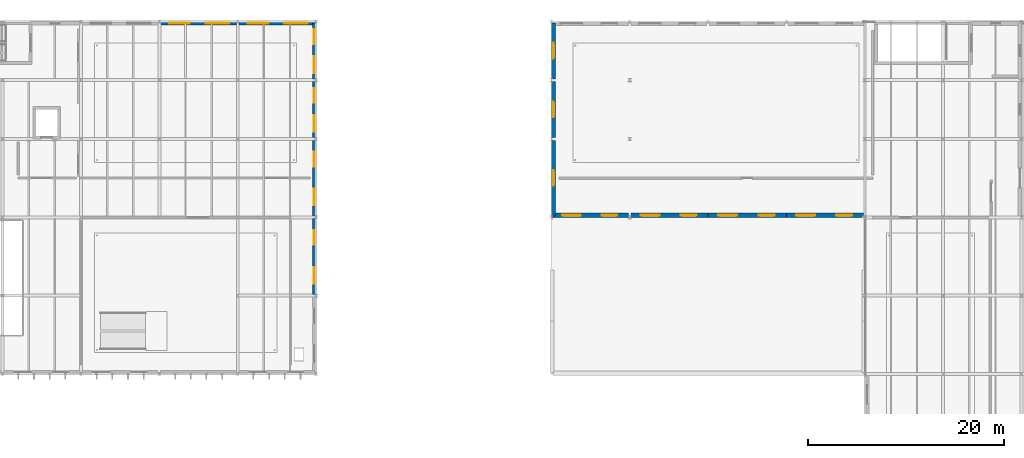
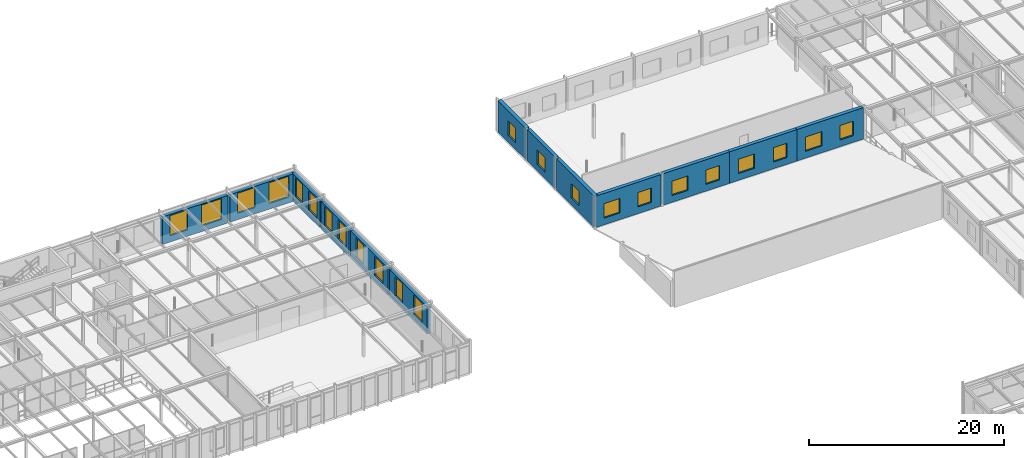
# One storey, part 84 of 124: 23 windows, 13 walls, 23 openings.
"""IFC4 building model written with IfcOpenShell, lengths in metres."""

from ifc_helpers import new_model, si_unit, direction, frame, frame_2d, origin, place, context, subcontext, project, spatial, rectangle, extrude, material, layer, layer_set, type_object, element, fill, save


model = new_model("IFC4")

# Units and contexts
model_context = context("Model", 3, precision=1e-05, world=origin(), true_north=direction((0.0, 1.0)))
body_context = subcontext(model_context, "Body", "Model", "MODEL_VIEW")
ifc_project = project(units=[si_unit("LENGTHUNIT", "METRE"), si_unit("AREAUNIT", "SQUARE_METRE"), si_unit("VOLUMEUNIT", "CUBIC_METRE"), si_unit("PLANEANGLEUNIT", "RADIAN"), si_unit("MASSUNIT", "GRAM", prefix="KILO")], contexts=[model_context])

# Site, building, storey
site_placement = place(None, origin())
site = spatial("IfcSite", under=ifc_project, at=site_placement, CompositionType="ELEMENT")
building_placement = place(site_placement, origin())
building = spatial("IfcBuilding", under=site, at=building_placement, Name="Sundkrona Museum", CompositionType="ELEMENT")
storey_placement = place(building_placement, frame((0.0, 0.0, 17.60009765625)))
storey = spatial("IfcBuildingStorey", under=building, at=storey_placement, Name="L03", CompositionType="ELEMENT", Elevation=17.60009765625)

# Wall, openings, windows
ifc_material_1 = material(Name="Scanian Polychrome Clay Brickwork 390 mm", Category="masonry")
ifc_layer_1 = layer(ifc_material_1, 0.389892578125)
ifc_layer_set_1 = layer_set([ifc_layer_1], Name="Scanian Polychrome Clay Brickwork 390 mm")
wall_type_1 = type_object("IfcWallType", Name="W-EX-390", PredefinedType="SOLIDWALL", material=ifc_layer_set_1)
wall_1_placement = place(storey_placement, frame((64.1220703125, 113.804931640625, 0.0), z_axis=(0.0, 0.0, 1.0), x_axis=(1.0, 0.0, 0.0)))
wall_1 = element("IfcWall", 1, at=wall_1_placement, inside=storey, type_object=wall_type_1, Name="L03 Facade Wall 0172", PredefinedType="SOLIDWALL", context=body_context, shape_type="SweptSolid", body=[
    extrude(rectangle(XDim=7.755859375, YDim=0.389892578125, at=frame_2d((3.8779296875, 0.0))), origin(), (0.0, 0.0, 1.0), 3.44482421875),
])
opening_1_placement = place(wall_1_placement, frame((0.888916015625, 0.0, 0.804931640625)))
opening_1 = element("IfcOpeningElement", 2, at=opening_1_placement, cuts=wall_1, Name="Opening WN-GL-210x250", PredefinedType="OPENING", context=body_context, shape_type="SweptSolid", body=[
    extrude(rectangle(XDim=2.10009765625, YDim=2.5, at=frame_2d((1.050048828125, 1.25))), frame((0.0, 0.204833984375, 0.0), z_axis=(0.0, -1.0, 0.0), x_axis=(1.0, 0.0, 0.0)), (0.0, 0.0, 1.0), 0.409912109375),
])
opening_2_placement = place(wall_1_placement, frame((4.616943359375, 0.0, 0.705078125)))
opening_2 = element("IfcOpeningElement", 3, at=opening_2_placement, cuts=wall_1, Name="Opening WN-GL-240x260", PredefinedType="OPENING", context=body_context, shape_type="SweptSolid", body=[
    extrude(rectangle(XDim=2.39990234375, YDim=2.60009765625, at=frame_2d((1.199951171875, 1.300048828125))), frame((0.0, 0.204833984375, 0.0), z_axis=(0.0, -1.0, 0.0), x_axis=(1.0, 0.0, 0.0)), (0.0, 0.0, 1.0), 0.409912109375),
])
ifc_material_2 = material(Name="Triple Low-E Argon Glazing in Bronze-Anodised Aluminium", Category="aluminium")
window_type_1 = type_object("IfcWindowType", Name="WN-GL-210x250", PartitioningType="DOUBLE_PANEL_VERTICAL", PredefinedType="WINDOW", material=ifc_material_2)
window_1_placement = place(opening_1_placement, origin())
window_1 = element("IfcWindow", 4, at=window_1_placement, inside=storey, type_object=window_type_1, Name="L03 Botanical court outlook window 2100x2500 WIN-L03-0239", OverallHeight=2.5, OverallWidth=2.10009765625, PartitioningType="DOUBLE_PANEL_VERTICAL", PredefinedType="WINDOW", context=body_context, shape_type="SweptSolid", body=[
    extrude(rectangle(XDim=2.10009765625, YDim=2.5, at=frame_2d((1.050048828125, 1.25))), frame((0.0, 0.030029296875, 0.0), z_axis=(0.0, -1.0, 0.0), x_axis=(1.0, 0.0, 0.0)), (0.0, 0.0, 1.0), 0.06005859375),
])
fill(opening_1, window_1)
window_type_2 = type_object("IfcWindowType", Name="WN-GL-240x260", PartitioningType="TRIPLE_PANEL_VERTICAL", PredefinedType="WINDOW", material=ifc_material_2)
window_2_placement = place(opening_2_placement, origin())
window_2 = element("IfcWindow", 5, at=window_2_placement, inside=storey, type_object=window_type_2, Name="L03 Cloister garden picture window 2400x2600 WIN-L03-0240", OverallHeight=2.60009765625, OverallWidth=2.39990234375, PartitioningType="TRIPLE_PANEL_VERTICAL", PredefinedType="WINDOW", context=body_context, shape_type="SweptSolid", body=[
    extrude(rectangle(XDim=2.39990234375, YDim=2.60009765625, at=frame_2d((1.199951171875, 1.300048828125))), frame((0.0, 0.030029296875, 0.0), z_axis=(0.0, -1.0, 0.0), x_axis=(1.0, 0.0, 0.0)), (0.0, 0.0, 1.0), 0.06005859375),
])
fill(opening_2, window_2)

wall_2_placement = place(storey_placement, frame((72.1220703125, 113.804931640625, 0.0), z_axis=(0.0, 0.0, 1.0), x_axis=(1.0, 0.0, 0.0)))
wall_2 = element("IfcWall", 6, at=wall_2_placement, inside=storey, type_object=wall_type_1, Name="L03 Facade Wall 0173", PredefinedType="SOLIDWALL", context=body_context, shape_type="SweptSolid", body=[
    extrude(rectangle(XDim=7.73583984375, YDim=0.389892578125, at=frame_2d((3.867919921875, 0.0))), origin(), (0.0, 0.0, 1.0), 3.44482421875),
])
opening_3_placement = place(wall_2_placement, frame((0.884033203125, 0.0, 0.804931640625)))
opening_3 = element("IfcOpeningElement", 7, at=opening_3_placement, cuts=wall_2, Name="Opening WN-GL-210x250", PredefinedType="OPENING", context=body_context, shape_type="SweptSolid", body=[
    extrude(rectangle(XDim=2.10009765625, YDim=2.5, at=frame_2d((1.050048828125, 1.25))), frame((0.0, 0.204833984375, 0.0), z_axis=(0.0, -1.0, 0.0), x_axis=(1.0, 0.0, 0.0)), (0.0, 0.0, 1.0), 0.409912109375),
])
opening_4_placement = place(wall_2_placement, frame((4.60205078125, 0.0, 0.705078125)))
opening_4 = element("IfcOpeningElement", 8, at=opening_4_placement, cuts=wall_2, Name="Opening WN-GL-240x260", PredefinedType="OPENING", context=body_context, shape_type="SweptSolid", body=[
    extrude(rectangle(XDim=2.39990234375, YDim=2.60009765625, at=frame_2d((1.199951171875, 1.300048828125))), frame((0.0, 0.204833984375, 0.0), z_axis=(0.0, -1.0, 0.0), x_axis=(1.0, 0.0, 0.0)), (0.0, 0.0, 1.0), 0.409912109375),
])
window_3_placement = place(opening_3_placement, origin())
window_3 = element("IfcWindow", 9, at=window_3_placement, inside=storey, type_object=window_type_1, Name="L03 Botanical court outlook window 2100x2500 WIN-L03-0241", OverallHeight=2.5, OverallWidth=2.10009765625, PartitioningType="DOUBLE_PANEL_VERTICAL", PredefinedType="WINDOW", context=body_context, shape_type="SweptSolid", body=[
    extrude(rectangle(XDim=2.10009765625, YDim=2.5, at=frame_2d((1.050048828125, 1.25))), frame((0.0, 0.030029296875, 0.0), z_axis=(0.0, -1.0, 0.0), x_axis=(1.0, 0.0, 0.0)), (0.0, 0.0, 1.0), 0.06005859375),
])
fill(opening_3, window_3)
window_4_placement = place(opening_4_placement, origin())
window_4 = element("IfcWindow", 10, at=window_4_placement, inside=storey, type_object=window_type_2, Name="L03 Cloister garden picture window 2400x2600 WIN-L03-0242", OverallHeight=2.60009765625, OverallWidth=2.39990234375, PartitioningType="TRIPLE_PANEL_VERTICAL", PredefinedType="WINDOW", context=body_context, shape_type="SweptSolid", body=[
    extrude(rectangle(XDim=2.39990234375, YDim=2.60009765625, at=frame_2d((1.199951171875, 1.300048828125))), frame((0.0, 0.030029296875, 0.0), z_axis=(0.0, -1.0, 0.0), x_axis=(1.0, 0.0, 0.0)), (0.0, 0.0, 1.0), 0.06005859375),
])
fill(opening_4, window_4)

wall_3_placement = place(storey_placement, frame((79.804931640625, 93.85791015625, 0.0), z_axis=(0.0, 0.0, 1.0), x_axis=(0.0, -1.0, 0.0)))
wall_3 = element("IfcWall", 11, at=wall_3_placement, inside=storey, type_object=wall_type_1, Name="L03 Facade Wall 0261", PredefinedType="SOLIDWALL", context=body_context, shape_type="SweptSolid", body=[
    extrude(rectangle(XDim=7.7158203125, YDim=0.389892578125, at=frame_2d((3.85791015625, 0.0))), origin(), (0.0, 0.0, 1.0), 3.44482421875),
])
opening_5_placement = place(wall_3_placement, frame((1.178955078125, 0.0, 0.85009765625)))
opening_5 = element("IfcOpeningElement", 12, at=opening_5_placement, cuts=wall_3, Name="Opening WN-GL-150x240", PredefinedType="OPENING", context=body_context, shape_type="SweptSolid", body=[
    extrude(rectangle(XDim=1.5, YDim=2.39990234375, at=frame_2d((0.75, 1.199951171875))), frame((0.0, 0.204833984375, 0.0), z_axis=(0.0, -1.0, 0.0), x_axis=(1.0, 0.0, 0.0)), (0.0, 0.0, 1.0), 0.409912109375),
])
opening_6_placement = place(wall_3_placement, frame((4.93701171875, 0.0, 0.85009765625)))
opening_6 = element("IfcOpeningElement", 13, at=opening_6_placement, cuts=wall_3, Name="Opening WN-GL-170x240", PredefinedType="OPENING", context=body_context, shape_type="SweptSolid", body=[
    extrude(rectangle(XDim=1.699951171875, YDim=2.39990234375, at=frame_2d((0.85009765625, 1.199951171875))), frame((0.0, 0.204833984375, 0.0), z_axis=(0.0, -1.0, 0.0), x_axis=(1.0, 0.0, 0.0)), (0.0, 0.0, 1.0), 0.409912109375),
])
window_type_3 = type_object("IfcWindowType", Name="WN-GL-150x240", PartitioningType="SINGLE_PANEL", PredefinedType="WINDOW", material=ifc_material_2)
window_5_placement = place(opening_5_placement, origin())
window_5 = element("IfcWindow", 14, at=window_5_placement, inside=storey, type_object=window_type_3, Name="L03 Finned wing deep-reveal gallery window 1500x2400 WIN-L03-0362", OverallHeight=2.39990234375, OverallWidth=1.5, PartitioningType="SINGLE_PANEL", PredefinedType="WINDOW", context=body_context, shape_type="SweptSolid", body=[
    extrude(rectangle(XDim=1.5, YDim=2.39990234375, at=frame_2d((0.75, 1.199951171875))), frame((0.0, 0.030029296875, 0.0), z_axis=(0.0, -1.0, 0.0), x_axis=(1.0, 0.0, 0.0)), (0.0, 0.0, 1.0), 0.06005859375),
])
fill(opening_5, window_5)
window_type_4 = type_object("IfcWindowType", Name="WN-GL-170x240", PartitioningType="DOUBLE_PANEL_VERTICAL", PredefinedType="WINDOW", material=ifc_material_2)
window_6_placement = place(opening_6_placement, origin())
window_6 = element("IfcWindow", 15, at=window_6_placement, inside=storey, type_object=window_type_4, Name="L03 Finned wing wide gallery window 1700x2400 WIN-L03-0363", OverallHeight=2.39990234375, OverallWidth=1.699951171875, PartitioningType="DOUBLE_PANEL_VERTICAL", PredefinedType="WINDOW", context=body_context, shape_type="SweptSolid", body=[
    extrude(rectangle(XDim=1.699951171875, YDim=2.39990234375, at=frame_2d((0.85009765625, 1.199951171875))), frame((0.0, 0.030029296875, 0.0), z_axis=(0.0, -1.0, 0.0), x_axis=(1.0, 0.0, 0.0)), (0.0, 0.0, 1.0), 0.06005859375),
])
fill(opening_6, window_6)

wall_4_placement = place(storey_placement, frame((79.804931640625, 101.85791015625, 0.0), z_axis=(0.0, 0.0, 1.0), x_axis=(0.0, -1.0, 0.0)))
wall_4 = element("IfcWall", 16, at=wall_4_placement, inside=storey, type_object=wall_type_1, Name="L03 Facade Wall 0262", PredefinedType="SOLIDWALL", context=body_context, shape_type="SweptSolid", body=[
    extrude(rectangle(XDim=7.7158203125, YDim=0.389892578125, at=frame_2d((3.85791015625, 0.0))), origin(), (0.0, 0.0, 1.0), 3.44482421875),
])
opening_7_placement = place(wall_4_placement, frame((1.178955078125, 0.0, 0.85009765625)))
opening_7 = element("IfcOpeningElement", 17, at=opening_7_placement, cuts=wall_4, Name="Opening WN-GL-150x240", PredefinedType="OPENING", context=body_context, shape_type="SweptSolid", body=[
    extrude(rectangle(XDim=1.5, YDim=2.39990234375, at=frame_2d((0.75, 1.199951171875))), frame((0.0, 0.204833984375, 0.0), z_axis=(0.0, -1.0, 0.0), x_axis=(1.0, 0.0, 0.0)), (0.0, 0.0, 1.0), 0.409912109375),
])
opening_8_placement = place(wall_4_placement, frame((4.93701171875, 0.0, 0.85009765625)))
opening_8 = element("IfcOpeningElement", 18, at=opening_8_placement, cuts=wall_4, Name="Opening WN-GL-170x240", PredefinedType="OPENING", context=body_context, shape_type="SweptSolid", body=[
    extrude(rectangle(XDim=1.699951171875, YDim=2.39990234375, at=frame_2d((0.85009765625, 1.199951171875))), frame((0.0, 0.204833984375, 0.0), z_axis=(0.0, -1.0, 0.0), x_axis=(1.0, 0.0, 0.0)), (0.0, 0.0, 1.0), 0.409912109375),
])
window_7_placement = place(opening_7_placement, origin())
window_7 = element("IfcWindow", 19, at=window_7_placement, inside=storey, type_object=window_type_3, Name="L03 Finned wing deep-reveal gallery window 1500x2400 WIN-L03-0364", OverallHeight=2.39990234375, OverallWidth=1.5, PartitioningType="SINGLE_PANEL", PredefinedType="WINDOW", context=body_context, shape_type="SweptSolid", body=[
    extrude(rectangle(XDim=1.5, YDim=2.39990234375, at=frame_2d((0.75, 1.199951171875))), frame((0.0, 0.030029296875, 0.0), z_axis=(0.0, -1.0, 0.0), x_axis=(1.0, 0.0, 0.0)), (0.0, 0.0, 1.0), 0.06005859375),
])
fill(opening_7, window_7)
window_8_placement = place(opening_8_placement, origin())
window_8 = element("IfcWindow", 20, at=window_8_placement, inside=storey, type_object=window_type_4, Name="L03 Finned wing wide gallery window 1700x2400 WIN-L03-0365", OverallHeight=2.39990234375, OverallWidth=1.699951171875, PartitioningType="DOUBLE_PANEL_VERTICAL", PredefinedType="WINDOW", context=body_context, shape_type="SweptSolid", body=[
    extrude(rectangle(XDim=1.699951171875, YDim=2.39990234375, at=frame_2d((0.85009765625, 1.199951171875))), frame((0.0, 0.030029296875, 0.0), z_axis=(0.0, -1.0, 0.0), x_axis=(1.0, 0.0, 0.0)), (0.0, 0.0, 1.0), 0.06005859375),
])
fill(opening_8, window_8)

wall_5_placement = place(storey_placement, frame((79.804931640625, 107.85791015625, 0.0), z_axis=(0.0, 0.0, 1.0), x_axis=(0.0, -1.0, 0.0)))
wall_5 = element("IfcWall", 21, at=wall_5_placement, inside=storey, type_object=wall_type_1, Name="L03 Facade Wall 0263", PredefinedType="SOLIDWALL", context=body_context, shape_type="SweptSolid", body=[
    extrude(rectangle(XDim=5.7158203125, YDim=0.389892578125, at=frame_2d((2.85791015625, 0.0))), origin(), (0.0, 0.0, 1.0), 3.44482421875),
])
opening_9_placement = place(wall_5_placement, frame((0.678955078125, 0.0, 0.85009765625)))
opening_9 = element("IfcOpeningElement", 22, at=opening_9_placement, cuts=wall_5, Name="Opening WN-GL-150x240", PredefinedType="OPENING", context=body_context, shape_type="SweptSolid", body=[
    extrude(rectangle(XDim=1.5, YDim=2.39990234375, at=frame_2d((0.75, 1.199951171875))), frame((0.0, 0.204833984375, 0.0), z_axis=(0.0, -1.0, 0.0), x_axis=(1.0, 0.0, 0.0)), (0.0, 0.0, 1.0), 0.409912109375),
])
opening_10_placement = place(wall_5_placement, frame((3.43701171875, 0.0, 0.85009765625)))
opening_10 = element("IfcOpeningElement", 23, at=opening_10_placement, cuts=wall_5, Name="Opening WN-GL-170x240", PredefinedType="OPENING", context=body_context, shape_type="SweptSolid", body=[
    extrude(rectangle(XDim=1.699951171875, YDim=2.39990234375, at=frame_2d((0.85009765625, 1.199951171875))), frame((0.0, 0.204833984375, 0.0), z_axis=(0.0, -1.0, 0.0), x_axis=(1.0, 0.0, 0.0)), (0.0, 0.0, 1.0), 0.409912109375),
])
window_9_placement = place(opening_9_placement, origin())
window_9 = element("IfcWindow", 24, at=window_9_placement, inside=storey, type_object=window_type_3, Name="L03 Finned wing deep-reveal gallery window 1500x2400 WIN-L03-0366", OverallHeight=2.39990234375, OverallWidth=1.5, PartitioningType="SINGLE_PANEL", PredefinedType="WINDOW", context=body_context, shape_type="SweptSolid", body=[
    extrude(rectangle(XDim=1.5, YDim=2.39990234375, at=frame_2d((0.75, 1.199951171875))), frame((0.0, 0.030029296875, 0.0), z_axis=(0.0, -1.0, 0.0), x_axis=(1.0, 0.0, 0.0)), (0.0, 0.0, 1.0), 0.06005859375),
])
fill(opening_9, window_9)
window_10_placement = place(opening_10_placement, origin())
window_10 = element("IfcWindow", 25, at=window_10_placement, inside=storey, type_object=window_type_4, Name="L03 Finned wing wide gallery window 1700x2400 WIN-L03-0367", OverallHeight=2.39990234375, OverallWidth=1.699951171875, PartitioningType="DOUBLE_PANEL_VERTICAL", PredefinedType="WINDOW", context=body_context, shape_type="SweptSolid", body=[
    extrude(rectangle(XDim=1.699951171875, YDim=2.39990234375, at=frame_2d((0.85009765625, 1.199951171875))), frame((0.0, 0.030029296875, 0.0), z_axis=(0.0, -1.0, 0.0), x_axis=(1.0, 0.0, 0.0)), (0.0, 0.0, 1.0), 0.06005859375),
])
fill(opening_10, window_10)

wall_6_placement = place(storey_placement, frame((79.804931640625, 113.85791015625, 0.0), z_axis=(0.0, 0.0, 1.0), x_axis=(0.0, -1.0, 0.0)))
wall_6 = element("IfcWall", 26, at=wall_6_placement, inside=storey, type_object=wall_type_1, Name="L03 Facade Wall 0264", PredefinedType="SOLIDWALL", context=body_context, shape_type="SweptSolid", body=[
    extrude(rectangle(XDim=5.7158203125, YDim=0.389892578125, at=frame_2d((2.85791015625, 0.0))), origin(), (0.0, 0.0, 1.0), 3.44482421875),
])
opening_11_placement = place(wall_6_placement, frame((0.678955078125, 0.0, 0.85009765625)))
opening_11 = element("IfcOpeningElement", 27, at=opening_11_placement, cuts=wall_6, Name="Opening WN-GL-150x240", PredefinedType="OPENING", context=body_context, shape_type="SweptSolid", body=[
    extrude(rectangle(XDim=1.5, YDim=2.39990234375, at=frame_2d((0.75, 1.199951171875))), frame((0.0, 0.204833984375, 0.0), z_axis=(0.0, -1.0, 0.0), x_axis=(1.0, 0.0, 0.0)), (0.0, 0.0, 1.0), 0.409912109375),
])
opening_12_placement = place(wall_6_placement, frame((3.43701171875, 0.0, 0.85009765625)))
opening_12 = element("IfcOpeningElement", 28, at=opening_12_placement, cuts=wall_6, Name="Opening WN-GL-170x240", PredefinedType="OPENING", context=body_context, shape_type="SweptSolid", body=[
    extrude(rectangle(XDim=1.699951171875, YDim=2.39990234375, at=frame_2d((0.85009765625, 1.199951171875))), frame((0.0, 0.204833984375, 0.0), z_axis=(0.0, -1.0, 0.0), x_axis=(1.0, 0.0, 0.0)), (0.0, 0.0, 1.0), 0.409912109375),
])
window_11_placement = place(opening_11_placement, origin())
window_11 = element("IfcWindow", 29, at=window_11_placement, inside=storey, type_object=window_type_3, Name="L03 Finned wing deep-reveal gallery window 1500x2400 WIN-L03-0368", OverallHeight=2.39990234375, OverallWidth=1.5, PartitioningType="SINGLE_PANEL", PredefinedType="WINDOW", context=body_context, shape_type="SweptSolid", body=[
    extrude(rectangle(XDim=1.5, YDim=2.39990234375, at=frame_2d((0.75, 1.199951171875))), frame((0.0, 0.030029296875, 0.0), z_axis=(0.0, -1.0, 0.0), x_axis=(1.0, 0.0, 0.0)), (0.0, 0.0, 1.0), 0.06005859375),
])
fill(opening_11, window_11)
window_12_placement = place(opening_12_placement, origin())
window_12 = element("IfcWindow", 30, at=window_12_placement, inside=storey, type_object=window_type_4, Name="L03 Finned wing wide gallery window 1700x2400 WIN-L03-0369", OverallHeight=2.39990234375, OverallWidth=1.699951171875, PartitioningType="DOUBLE_PANEL_VERTICAL", PredefinedType="WINDOW", context=body_context, shape_type="SweptSolid", body=[
    extrude(rectangle(XDim=1.699951171875, YDim=2.39990234375, at=frame_2d((0.85009765625, 1.199951171875))), frame((0.0, 0.030029296875, 0.0), z_axis=(0.0, -1.0, 0.0), x_axis=(1.0, 0.0, 0.0)), (0.0, 0.0, 1.0), 0.06005859375),
])
fill(opening_12, window_12)

# Wall, opening, window
ifc_material_3 = material(Name="Scanian Polychrome Clay Brickwork 420 mm", Category="masonry")
ifc_layer_2 = layer(ifc_material_3, 0.419921875)
ifc_layer_set_2 = layer_set([ifc_layer_2], Name="Scanian Polychrome Clay Brickwork 420 mm")
wall_type_2 = type_object("IfcWallType", Name="W-EX-420", PredefinedType="SOLIDWALL", material=ifc_layer_set_2)
wall_7_placement = place(storey_placement, frame((104.2099609375, 94.14208984375, 0.0), z_axis=(0.0, 0.0, 1.0), x_axis=(0.0, 1.0, 0.0)))
wall_7 = element("IfcWall", 31, at=wall_7_placement, inside=storey, type_object=wall_type_2, Name="L03 Facade Wall 0304", PredefinedType="SOLIDWALL", context=body_context, shape_type="SweptSolid", body=[
    extrude(rectangle(XDim=7.7158203125, YDim=0.419921875, at=frame_2d((3.85791015625, 0.0))), origin(), (0.0, 0.0, 1.0), 3.93994140625),
])
opening_13_placement = place(wall_7_placement, frame((3.05810546875, 0.0, 0.85009765625)))
opening_13 = element("IfcOpeningElement", 32, at=opening_13_placement, cuts=wall_7, Name="Opening WN-LB-160x180", PredefinedType="OPENING", context=body_context, shape_type="SweptSolid", body=[
    extrude(rectangle(XDim=1.60009765625, YDim=1.800048828125, at=frame_2d((0.800048828125, 0.89990234375))), frame((0.0, 0.219970703125, 0.0), z_axis=(0.0, -1.0, 0.0), x_axis=(1.0, 0.0, 0.0)), (0.0, 0.0, 1.0), 0.43994140625),
])
window_type_5 = type_object("IfcWindowType", Name="WN-LB-160x180", PartitioningType="DOUBLE_PANEL_VERTICAL", PredefinedType="WINDOW", material=ifc_material_2)
window_13_placement = place(opening_13_placement, origin())
window_13 = element("IfcWindow", 33, at=window_13_placement, inside=storey, type_object=window_type_5, Name="L03 Conservation laboratory deep-reveal window 1600x1800 WIN-L03-0417", OverallHeight=1.800048828125, OverallWidth=1.60009765625, PartitioningType="DOUBLE_PANEL_VERTICAL", PredefinedType="WINDOW", context=body_context, shape_type="SweptSolid", body=[
    extrude(rectangle(XDim=1.60009765625, YDim=1.800048828125, at=frame_2d((0.800048828125, 0.89990234375))), frame((0.0, 0.030029296875, 0.0), z_axis=(0.0, -1.0, 0.0), x_axis=(1.0, 0.0, 0.0)), (0.0, 0.0, 1.0), 0.06005859375),
])
fill(opening_13, window_13)

wall_8_placement = place(storey_placement, frame((104.2099609375, 102.14208984375, 0.0), z_axis=(0.0, 0.0, 1.0), x_axis=(0.0, 1.0, 0.0)))
wall_8 = element("IfcWall", 34, at=wall_8_placement, inside=storey, type_object=wall_type_2, Name="L03 Facade Wall 0305", PredefinedType="SOLIDWALL", context=body_context, shape_type="SweptSolid", body=[
    extrude(rectangle(XDim=5.7158203125, YDim=0.419921875, at=frame_2d((2.85791015625, 0.0))), origin(), (0.0, 0.0, 1.0), 3.93994140625),
])
opening_14_placement = place(wall_8_placement, frame((2.05810546875, 0.0, 0.85009765625)))
opening_14 = element("IfcOpeningElement", 35, at=opening_14_placement, cuts=wall_8, Name="Opening WN-LB-160x180", PredefinedType="OPENING", context=body_context, shape_type="SweptSolid", body=[
    extrude(rectangle(XDim=1.60009765625, YDim=1.800048828125, at=frame_2d((0.800048828125, 0.89990234375))), frame((0.0, 0.219970703125, 0.0), z_axis=(0.0, -1.0, 0.0), x_axis=(1.0, 0.0, 0.0)), (0.0, 0.0, 1.0), 0.43994140625),
])
window_14_placement = place(opening_14_placement, origin())
window_14 = element("IfcWindow", 36, at=window_14_placement, inside=storey, type_object=window_type_5, Name="L03 Conservation laboratory deep-reveal window 1600x1800 WIN-L03-0418", OverallHeight=1.800048828125, OverallWidth=1.60009765625, PartitioningType="DOUBLE_PANEL_VERTICAL", PredefinedType="WINDOW", context=body_context, shape_type="SweptSolid", body=[
    extrude(rectangle(XDim=1.60009765625, YDim=1.800048828125, at=frame_2d((0.800048828125, 0.89990234375))), frame((0.0, 0.030029296875, 0.0), z_axis=(0.0, -1.0, 0.0), x_axis=(1.0, 0.0, 0.0)), (0.0, 0.0, 1.0), 0.06005859375),
])
fill(opening_14, window_14)

wall_9_placement = place(storey_placement, frame((104.2099609375, 108.14208984375, 0.0), z_axis=(0.0, 0.0, 1.0), x_axis=(0.0, 1.0, 0.0)))
wall_9 = element("IfcWall", 37, at=wall_9_placement, inside=storey, type_object=wall_type_2, Name="L03 Facade Wall 0306", PredefinedType="SOLIDWALL", context=body_context, shape_type="SweptSolid", body=[
    extrude(rectangle(XDim=5.7158203125, YDim=0.419921875, at=frame_2d((2.85791015625, 0.0))), origin(), (0.0, 0.0, 1.0), 3.93994140625),
])
opening_15_placement = place(wall_9_placement, frame((2.05810546875, 0.0, 0.85009765625)))
opening_15 = element("IfcOpeningElement", 38, at=opening_15_placement, cuts=wall_9, Name="Opening WN-LB-160x180", PredefinedType="OPENING", context=body_context, shape_type="SweptSolid", body=[
    extrude(rectangle(XDim=1.60009765625, YDim=1.800048828125, at=frame_2d((0.800048828125, 0.89990234375))), frame((0.0, 0.219970703125, 0.0), z_axis=(0.0, -1.0, 0.0), x_axis=(1.0, 0.0, 0.0)), (0.0, 0.0, 1.0), 0.43994140625),
])
window_15_placement = place(opening_15_placement, origin())
window_15 = element("IfcWindow", 39, at=window_15_placement, inside=storey, type_object=window_type_5, Name="L03 Conservation laboratory deep-reveal window 1600x1800 WIN-L03-0419", OverallHeight=1.800048828125, OverallWidth=1.60009765625, PartitioningType="DOUBLE_PANEL_VERTICAL", PredefinedType="WINDOW", context=body_context, shape_type="SweptSolid", body=[
    extrude(rectangle(XDim=1.60009765625, YDim=1.800048828125, at=frame_2d((0.800048828125, 0.89990234375))), frame((0.0, 0.030029296875, 0.0), z_axis=(0.0, -1.0, 0.0), x_axis=(1.0, 0.0, 0.0)), (0.0, 0.0, 1.0), 0.06005859375),
])
fill(opening_15, window_15)

# Wall, openings, windows
wall_10_placement = place(storey_placement, frame((111.85791015625, 94.2099609375, 0.0), z_axis=(0.0, 0.0, 1.0), x_axis=(-1.0, 0.0, 0.0)))
wall_10 = element("IfcWall", 40, at=wall_10_placement, inside=storey, type_object=wall_type_2, Name="L03 Facade Wall 0307", PredefinedType="SOLIDWALL", context=body_context, shape_type="SweptSolid", body=[
    extrude(rectangle(XDim=7.7158203125, YDim=0.419921875, at=frame_2d((3.85791015625, 0.0))), origin(), (0.0, 0.0, 1.0), 3.93994140625),
])
opening_16_placement = place(wall_10_placement, frame((1.12890625, 0.0, 0.85009765625)))
opening_16 = element("IfcOpeningElement", 41, at=opening_16_placement, cuts=wall_10, Name="Opening WN-LB-160x180", PredefinedType="OPENING", context=body_context, shape_type="SweptSolid", body=[
    extrude(rectangle(XDim=1.60009765625, YDim=1.800048828125, at=frame_2d((0.800048828125, 0.89990234375))), frame((0.0, 0.219970703125, 0.0), z_axis=(0.0, -1.0, 0.0), x_axis=(1.0, 0.0, 0.0)), (0.0, 0.0, 1.0), 0.43994140625),
])
opening_17_placement = place(wall_10_placement, frame((4.8369140625, 0.0, 0.85009765625)))
opening_17 = element("IfcOpeningElement", 42, at=opening_17_placement, cuts=wall_10, Name="Opening WN-LB-190x180", PredefinedType="OPENING", context=body_context, shape_type="SweptSolid", body=[
    extrude(rectangle(XDim=1.89990234375, YDim=1.800048828125, at=frame_2d((0.949951171875, 0.89990234375))), frame((0.0, 0.219970703125, 0.0), z_axis=(0.0, -1.0, 0.0), x_axis=(1.0, 0.0, 0.0)), (0.0, 0.0, 1.0), 0.43994140625),
])
window_16_placement = place(opening_16_placement, origin())
window_16 = element("IfcWindow", 43, at=window_16_placement, inside=storey, type_object=window_type_5, Name="L03 Conservation laboratory deep-reveal window 1600x1800 WIN-L03-0420", OverallHeight=1.800048828125, OverallWidth=1.60009765625, PartitioningType="DOUBLE_PANEL_VERTICAL", PredefinedType="WINDOW", context=body_context, shape_type="SweptSolid", body=[
    extrude(rectangle(XDim=1.60009765625, YDim=1.800048828125, at=frame_2d((0.800048828125, 0.89990234375))), frame((0.0, 0.030029296875, 0.0), z_axis=(0.0, -1.0, 0.0), x_axis=(1.0, 0.0, 0.0)), (0.0, 0.0, 1.0), 0.06005859375),
])
fill(opening_16, window_16)
window_type_6 = type_object("IfcWindowType", Name="WN-LB-190x180", PartitioningType="DOUBLE_PANEL_VERTICAL", PredefinedType="WINDOW", material=ifc_material_2)
window_17_placement = place(opening_17_placement, origin())
window_17 = element("IfcWindow", 44, at=window_17_placement, inside=storey, type_object=window_type_6, Name="L03 Analytical studio bench-height window 1900x1800 WIN-L03-0421", OverallHeight=1.800048828125, OverallWidth=1.89990234375, PartitioningType="DOUBLE_PANEL_VERTICAL", PredefinedType="WINDOW", context=body_context, shape_type="SweptSolid", body=[
    extrude(rectangle(XDim=1.89990234375, YDim=1.800048828125, at=frame_2d((0.949951171875, 0.89990234375))), frame((0.0, 0.030029296875, 0.0), z_axis=(0.0, -1.0, 0.0), x_axis=(1.0, 0.0, 0.0)), (0.0, 0.0, 1.0), 0.06005859375),
])
fill(opening_17, window_17)

wall_11_placement = place(storey_placement, frame((119.989990234375, 94.2099609375, 0.0), z_axis=(0.0, 0.0, 1.0), x_axis=(-1.0, 0.0, 0.0)))
wall_11 = element("IfcWall", 45, at=wall_11_placement, inside=storey, type_object=wall_type_2, Name="L03 Facade Wall 0308", PredefinedType="SOLIDWALL", context=body_context, shape_type="SweptSolid", body=[
    extrude(rectangle(XDim=7.847900390625, YDim=0.419921875, at=frame_2d((3.923828125, 0.0))), origin(), (0.0, 0.0, 1.0), 3.93994140625),
])
opening_18_placement = place(wall_11_placement, frame((1.162109375, 0.0, 0.85009765625)))
opening_18 = element("IfcOpeningElement", 46, at=opening_18_placement, cuts=wall_11, Name="Opening WN-LB-160x180", PredefinedType="OPENING", context=body_context, shape_type="SweptSolid", body=[
    extrude(rectangle(XDim=1.60009765625, YDim=1.800048828125, at=frame_2d((0.800048828125, 0.89990234375))), frame((0.0, 0.219970703125, 0.0), z_axis=(0.0, -1.0, 0.0), x_axis=(1.0, 0.0, 0.0)), (0.0, 0.0, 1.0), 0.43994140625),
])
opening_19_placement = place(wall_11_placement, frame((4.93603515625, 0.0, 0.85009765625)))
opening_19 = element("IfcOpeningElement", 47, at=opening_19_placement, cuts=wall_11, Name="Opening WN-LB-190x180", PredefinedType="OPENING", context=body_context, shape_type="SweptSolid", body=[
    extrude(rectangle(XDim=1.89990234375, YDim=1.800048828125, at=frame_2d((0.949951171875, 0.89990234375))), frame((0.0, 0.219970703125, 0.0), z_axis=(0.0, -1.0, 0.0), x_axis=(1.0, 0.0, 0.0)), (0.0, 0.0, 1.0), 0.43994140625),
])
window_18_placement = place(opening_18_placement, origin())
window_18 = element("IfcWindow", 48, at=window_18_placement, inside=storey, type_object=window_type_5, Name="L03 Conservation laboratory deep-reveal window 1600x1800 WIN-L03-0422", OverallHeight=1.800048828125, OverallWidth=1.60009765625, PartitioningType="DOUBLE_PANEL_VERTICAL", PredefinedType="WINDOW", context=body_context, shape_type="SweptSolid", body=[
    extrude(rectangle(XDim=1.60009765625, YDim=1.800048828125, at=frame_2d((0.800048828125, 0.89990234375))), frame((0.0, 0.030029296875, 0.0), z_axis=(0.0, -1.0, 0.0), x_axis=(1.0, 0.0, 0.0)), (0.0, 0.0, 1.0), 0.06005859375),
])
fill(opening_18, window_18)
window_19_placement = place(opening_19_placement, origin())
window_19 = element("IfcWindow", 49, at=window_19_placement, inside=storey, type_object=window_type_6, Name="L03 Analytical studio bench-height window 1900x1800 WIN-L03-0423", OverallHeight=1.800048828125, OverallWidth=1.89990234375, PartitioningType="DOUBLE_PANEL_VERTICAL", PredefinedType="WINDOW", context=body_context, shape_type="SweptSolid", body=[
    extrude(rectangle(XDim=1.89990234375, YDim=1.800048828125, at=frame_2d((0.949951171875, 0.89990234375))), frame((0.0, 0.030029296875, 0.0), z_axis=(0.0, -1.0, 0.0), x_axis=(1.0, 0.0, 0.0)), (0.0, 0.0, 1.0), 0.06005859375),
])
fill(opening_19, window_19)

wall_12_placement = place(storey_placement, frame((127.989990234375, 94.2099609375, 0.0), z_axis=(0.0, 0.0, 1.0), x_axis=(-1.0, 0.0, 0.0)))
wall_12 = element("IfcWall", 50, at=wall_12_placement, inside=storey, type_object=wall_type_2, Name="L03 Facade Wall 0309", PredefinedType="SOLIDWALL", context=body_context, shape_type="SweptSolid", body=[
    extrude(rectangle(XDim=7.97998046875, YDim=0.419921875, at=frame_2d((3.989990234375, 0.0))), origin(), (0.0, 0.0, 1.0), 3.93994140625),
])
opening_20_placement = place(wall_12_placement, frame((1.195068359375, 0.0, 0.85009765625)))
opening_20 = element("IfcOpeningElement", 51, at=opening_20_placement, cuts=wall_12, Name="Opening WN-LB-160x180", PredefinedType="OPENING", context=body_context, shape_type="SweptSolid", body=[
    extrude(rectangle(XDim=1.60009765625, YDim=1.800048828125, at=frame_2d((0.800048828125, 0.89990234375))), frame((0.0, 0.219970703125, 0.0), z_axis=(0.0, -1.0, 0.0), x_axis=(1.0, 0.0, 0.0)), (0.0, 0.0, 1.0), 0.43994140625),
])
opening_21_placement = place(wall_12_placement, frame((5.034912109375, 0.0, 0.85009765625)))
opening_21 = element("IfcOpeningElement", 52, at=opening_21_placement, cuts=wall_12, Name="Opening WN-LB-190x180", PredefinedType="OPENING", context=body_context, shape_type="SweptSolid", body=[
    extrude(rectangle(XDim=1.89990234375, YDim=1.800048828125, at=frame_2d((0.949951171875, 0.89990234375))), frame((0.0, 0.219970703125, 0.0), z_axis=(0.0, -1.0, 0.0), x_axis=(1.0, 0.0, 0.0)), (0.0, 0.0, 1.0), 0.43994140625),
])
window_20_placement = place(opening_20_placement, origin())
window_20 = element("IfcWindow", 53, at=window_20_placement, inside=storey, type_object=window_type_5, Name="L03 Conservation laboratory deep-reveal window 1600x1800 WIN-L03-0424", OverallHeight=1.800048828125, OverallWidth=1.60009765625, PartitioningType="DOUBLE_PANEL_VERTICAL", PredefinedType="WINDOW", context=body_context, shape_type="SweptSolid", body=[
    extrude(rectangle(XDim=1.60009765625, YDim=1.800048828125, at=frame_2d((0.800048828125, 0.89990234375))), frame((0.0, 0.030029296875, 0.0), z_axis=(0.0, -1.0, 0.0), x_axis=(1.0, 0.0, 0.0)), (0.0, 0.0, 1.0), 0.06005859375),
])
fill(opening_20, window_20)
window_21_placement = place(opening_21_placement, origin())
window_21 = element("IfcWindow", 54, at=window_21_placement, inside=storey, type_object=window_type_6, Name="L03 Analytical studio bench-height window 1900x1800 WIN-L03-0425", OverallHeight=1.800048828125, OverallWidth=1.89990234375, PartitioningType="DOUBLE_PANEL_VERTICAL", PredefinedType="WINDOW", context=body_context, shape_type="SweptSolid", body=[
    extrude(rectangle(XDim=1.89990234375, YDim=1.800048828125, at=frame_2d((0.949951171875, 0.89990234375))), frame((0.0, 0.030029296875, 0.0), z_axis=(0.0, -1.0, 0.0), x_axis=(1.0, 0.0, 0.0)), (0.0, 0.0, 1.0), 0.06005859375),
])
fill(opening_21, window_21)

wall_13_placement = place(storey_placement, frame((135.85791015625, 94.2099609375, 0.0), z_axis=(0.0, 0.0, 1.0), x_axis=(-1.0, 0.0, 0.0)))
wall_13 = element("IfcWall", 55, at=wall_13_placement, inside=storey, type_object=wall_type_2, Name="L03 Facade Wall 0310", PredefinedType="SOLIDWALL", context=body_context, shape_type="SweptSolid", body=[
    extrude(rectangle(XDim=7.847900390625, YDim=0.419921875, at=frame_2d((3.923828125, 0.0))), origin(), (0.0, 0.0, 1.0), 3.93994140625),
])
opening_22_placement = place(wall_13_placement, frame((1.162109375, 0.0, 0.85009765625)))
opening_22 = element("IfcOpeningElement", 56, at=opening_22_placement, cuts=wall_13, Name="Opening WN-LB-160x180", PredefinedType="OPENING", context=body_context, shape_type="SweptSolid", body=[
    extrude(rectangle(XDim=1.60009765625, YDim=1.800048828125, at=frame_2d((0.800048828125, 0.89990234375))), frame((0.0, 0.219970703125, 0.0), z_axis=(0.0, -1.0, 0.0), x_axis=(1.0, 0.0, 0.0)), (0.0, 0.0, 1.0), 0.43994140625),
])
opening_23_placement = place(wall_13_placement, frame((4.93603515625, 0.0, 0.85009765625)))
opening_23 = element("IfcOpeningElement", 57, at=opening_23_placement, cuts=wall_13, Name="Opening WN-LB-190x180", PredefinedType="OPENING", context=body_context, shape_type="SweptSolid", body=[
    extrude(rectangle(XDim=1.89990234375, YDim=1.800048828125, at=frame_2d((0.949951171875, 0.89990234375))), frame((0.0, 0.219970703125, 0.0), z_axis=(0.0, -1.0, 0.0), x_axis=(1.0, 0.0, 0.0)), (0.0, 0.0, 1.0), 0.43994140625),
])
window_22_placement = place(opening_22_placement, origin())
window_22 = element("IfcWindow", 58, at=window_22_placement, inside=storey, type_object=window_type_5, Name="L03 Conservation laboratory deep-reveal window 1600x1800 WIN-L03-0426", OverallHeight=1.800048828125, OverallWidth=1.60009765625, PartitioningType="DOUBLE_PANEL_VERTICAL", PredefinedType="WINDOW", context=body_context, shape_type="SweptSolid", body=[
    extrude(rectangle(XDim=1.60009765625, YDim=1.800048828125, at=frame_2d((0.800048828125, 0.89990234375))), frame((0.0, 0.030029296875, 0.0), z_axis=(0.0, -1.0, 0.0), x_axis=(1.0, 0.0, 0.0)), (0.0, 0.0, 1.0), 0.06005859375),
])
fill(opening_22, window_22)
window_23_placement = place(opening_23_placement, origin())
window_23 = element("IfcWindow", 59, at=window_23_placement, inside=storey, type_object=window_type_6, Name="L03 Analytical studio bench-height window 1900x1800 WIN-L03-0427", OverallHeight=1.800048828125, OverallWidth=1.89990234375, PartitioningType="DOUBLE_PANEL_VERTICAL", PredefinedType="WINDOW", context=body_context, shape_type="SweptSolid", body=[
    extrude(rectangle(XDim=1.89990234375, YDim=1.800048828125, at=frame_2d((0.949951171875, 0.89990234375))), frame((0.0, 0.030029296875, 0.0), z_axis=(0.0, -1.0, 0.0), x_axis=(1.0, 0.0, 0.0)), (0.0, 0.0, 1.0), 0.06005859375),
])
fill(opening_23, window_23)

save(model, "model.ifc")
